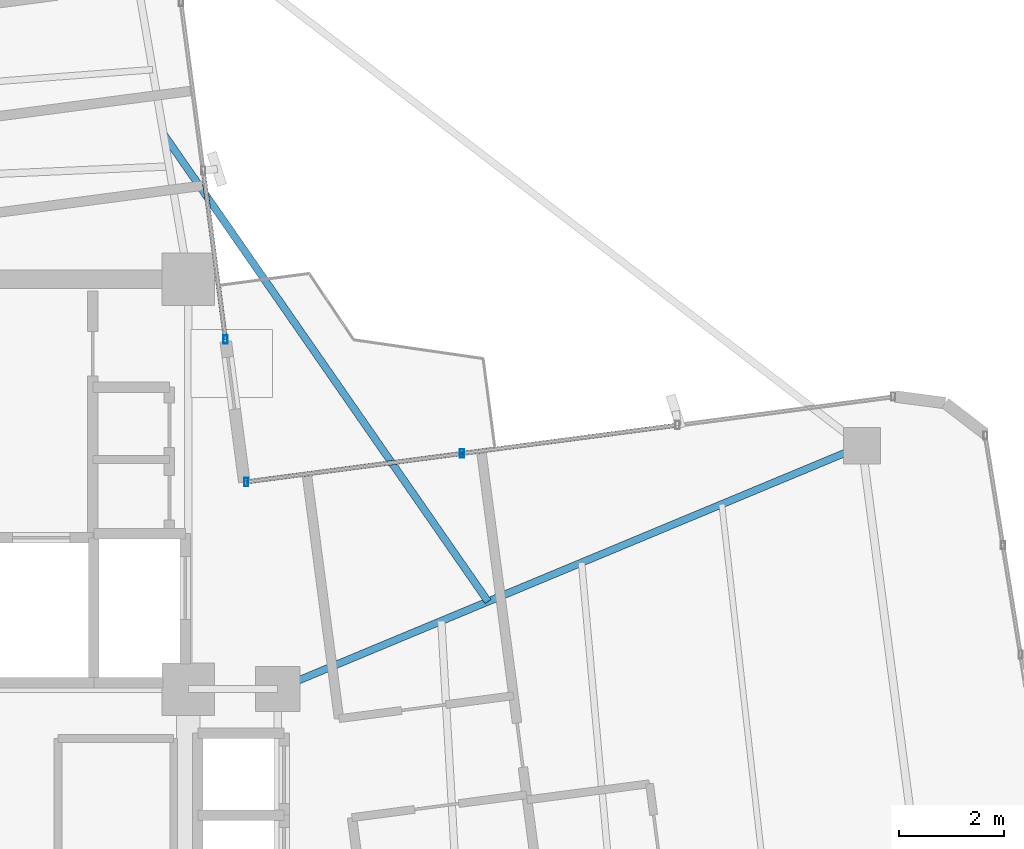
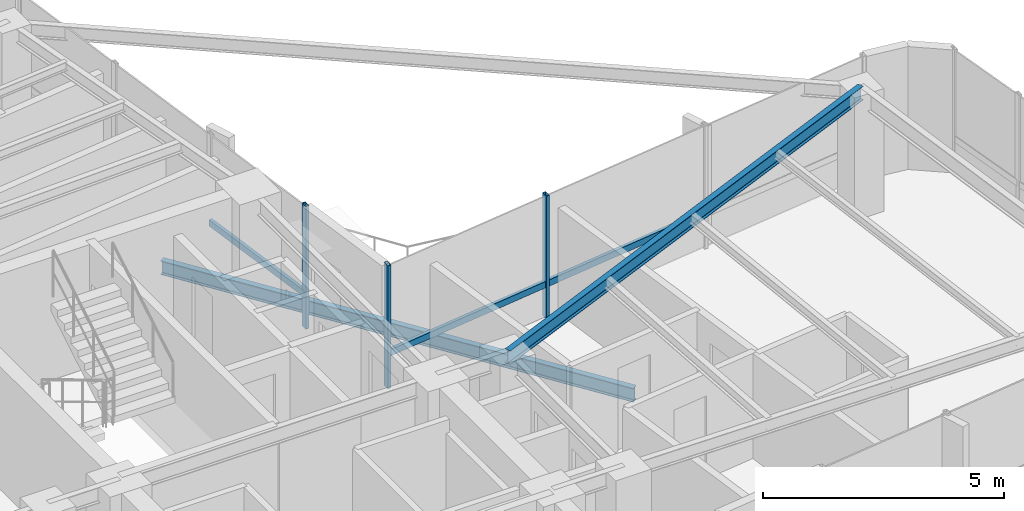
# One storey, part 10 of 21: 6 members, 2 beams, 2 elements without a shape of their own.
"""IFC4 building model written with IfcOpenShell, lengths in metres."""

import ifcopenshell
import ifcopenshell.guid

model = None  # the IFC model being written
_history = None  # IfcOwnerHistory: only IFC2X3 demands one
_inside = {}  # id of a spatial element -> (the spatial element, [elements in it])
_under = {}  # id of a project, library or spatial element -> (it, [spatial elements below it])
_declared = {}  # id of a project -> (the project, [libraries it declares])
_typed = {}  # id of a type object -> (the type object, [elements of that type])
_made_of = {}  # id of a material, layer set ... -> (it, [elements and type objects made of it])


def new_model(schema):
    """Start an empty IFC model of exactly this schema.

    Asked for "IFC4X3", IfcOpenShell would pick the latest addendum, in which some entities
    have other attributes; the version numbers below select the first issue.
    IFC2X3 requires an IfcOwnerHistory on every rooted entity: one is made here for all.
    """
    global model, _history
    if schema == "IFC4X3":
        model = ifcopenshell.file(schema_version=(4, 3, 0, 0))
    else:
        model = ifcopenshell.file(schema=schema)
    _inside.clear()
    _under.clear()
    _declared.clear()
    _typed.clear()
    _made_of.clear()
    _history = None
    if model.schema == "IFC2X3":
        org = make("IfcOrganization", Name="unknown")
        user = make(
            "IfcPersonAndOrganization",
            ThePerson=make("IfcPerson", FamilyName="unknown"),
            TheOrganization=org,
        )
        app = make(
            "IfcApplication",
            ApplicationDeveloper=org,
            Version="unknown",
            ApplicationFullName="unknown",
            ApplicationIdentifier="unknown",
        )
        _history = make(
            "IfcOwnerHistory",
            OwningUser=user,
            OwningApplication=app,
            ChangeAction="ADDED",
            CreationDate=0,
        )
    return model


def make(cls, **values):
    """One entity of the class cls with the attributes given. An attribute that is None is left unset."""
    return model.create_entity(
        cls, **{name: value for name, value in values.items() if value is not None}
    )


def rooted(cls, **values):
    """An entity with a GlobalId (a new one), such as an element, a storey or a relation."""
    return make(cls, GlobalId=ifcopenshell.guid.new(), OwnerHistory=_history, **values)


def si_unit(unit_type, name, prefix=None):
    """IfcSIUnit, for example si_unit("LENGTHUNIT", "METRE", prefix="MILLI")."""
    return make("IfcSIUnit", UnitType=unit_type, Prefix=prefix, Name=name)


def assignment(units):
    """IfcUnitAssignment: the units of a project."""
    return None if units is None else make("IfcUnitAssignment", Units=units)


def point(xyz):
    """IfcCartesianPoint."""
    return None if xyz is None else make("IfcCartesianPoint", Coordinates=xyz)


def direction(xyz):
    """IfcDirection."""
    return None if xyz is None else make("IfcDirection", DirectionRatios=xyz)


def frame(location, z_axis=None, x_axis=None):
    """IfcAxis2Placement3D, a coordinate frame: its origin and axes. An axis left out is left unset."""
    return make(
        "IfcAxis2Placement3D",
        Location=point(location),
        Axis=direction(z_axis),
        RefDirection=direction(x_axis),
    )


def frame_2d(location, x_axis=None):
    """IfcAxis2Placement2D, a coordinate frame in the plane: its origin and x axis."""
    return make(
        "IfcAxis2Placement2D", Location=point(location), RefDirection=direction(x_axis)
    )


def origin():
    """The frame at (0, 0, 0) with its axes left unset."""
    return frame((0.0, 0.0, 0.0))


def origin_2d():
    """The frame at (0, 0) in the plane with its x axis left unset."""
    return frame_2d((0.0, 0.0))


def place(relative_to, where):
    """IfcLocalPlacement: puts the frame where relative to a parent placement (None: the world)."""
    return make(
        "IfcLocalPlacement", PlacementRelTo=relative_to, RelativePlacement=where
    )


def context(
    kind, dimensions, precision=None, world=None, true_north=None, identifier=None
):
    """IfcGeometricRepresentationContext, for example the 3D "Model" context."""
    return make(
        "IfcGeometricRepresentationContext",
        ContextIdentifier=identifier,
        ContextType=kind,
        CoordinateSpaceDimension=dimensions,
        Precision=precision,
        WorldCoordinateSystem=world,
        TrueNorth=true_north,
    )


def subcontext(parent, identifier, kind, view, scale=None):
    """IfcGeometricRepresentationSubContext, for example "Body" below "Model"."""
    return make(
        "IfcGeometricRepresentationSubContext",
        ContextIdentifier=identifier,
        ContextType=kind,
        ParentContext=parent,
        TargetScale=scale,
        TargetView=view,
    )


def project(units=None, contexts=None):
    """IfcProject with its units and contexts."""
    return rooted(
        "IfcProject",
        Name="project",
        RepresentationContexts=contexts,
        UnitsInContext=assignment(units),
    )


def spatial(cls, under=None, at=None, **own):
    """A site, building, storey or space (cls), placed at a placement, below another one or the project."""
    s = rooted(cls, ObjectPlacement=at, **own)
    if under is not None:
        _under.setdefault(under.id(), (under, []))[1].append(s)
    return s


def profile(cls, at=None, kind="AREA", **sizes):
    """A parametric profile (cls). Its sizes go by their IFC names, for example OverallWidth=200.0."""
    return make(cls, ProfileType=kind, Position=at, **sizes)


def hollow_rectangle(**sizes):
    """IfcRectangleHollowProfileDef."""
    return profile("IfcRectangleHollowProfileDef", **sizes)


def i_section(**sizes):
    """IfcIShapeProfileDef."""
    return profile("IfcIShapeProfileDef", **sizes)


def extrude(swept, where, along, depth):
    """IfcExtrudedAreaSolid: the profile swept, set in the frame where, extruded along a direction by depth."""
    return make(
        "IfcExtrudedAreaSolid",
        SweptArea=swept,
        Position=where,
        ExtrudedDirection=direction(along),
        Depth=depth,
    )


def shape(context_of_items, identifier, shape_type, items):
    """IfcShapeRepresentation: the items that make up one representation, for example the "Body"."""
    return make(
        "IfcShapeRepresentation",
        ContextOfItems=context_of_items,
        RepresentationIdentifier=identifier,
        RepresentationType=shape_type,
        Items=items,
    )


def source(mapping_origin, context_of_items, identifier, shape_type, items):
    """IfcRepresentationMap: a shape defined once, which mapped items show again and again."""
    return make(
        "IfcRepresentationMap",
        MappingOrigin=mapping_origin,
        MappedRepresentation=shape(context_of_items, identifier, shape_type, items),
    )


def transform(
    local_origin,
    x_axis=None,
    y_axis=None,
    z_axis=None,
    scale=None,
    scale2=None,
    scale3=None,
    uniform=True,
):
    """IfcCartesianTransformationOperator3D, or its non-uniform kind. x_axis, y_axis, z_axis: its Axis1, 2, 3."""
    if uniform:
        return make(
            "IfcCartesianTransformationOperator3D",
            Axis1=direction(x_axis),
            Axis2=direction(y_axis),
            LocalOrigin=point(local_origin),
            Scale=scale,
            Axis3=direction(z_axis),
        )
    return make(
        "IfcCartesianTransformationOperator3DnonUniform",
        Axis1=direction(x_axis),
        Axis2=direction(y_axis),
        LocalOrigin=point(local_origin),
        Scale=scale,
        Axis3=direction(z_axis),
        Scale2=scale2,
        Scale3=scale3,
    )


def mapped(mapping_source, mapping_target):
    """IfcMappedItem: shows the shape of a source again, moved by a transform."""
    return make(
        "IfcMappedItem", MappingSource=mapping_source, MappingTarget=mapping_target
    )


def material(Name=None, Category=None):
    """IfcMaterial."""
    return make("IfcMaterial", Name=Name, Category=Category)


def material_profile(
    of_material, cross_section, Name=None, Category=None, Priority=None
):
    """IfcMaterialProfile: a cross section and its material."""
    return make(
        "IfcMaterialProfile",
        Name=Name,
        Material=of_material,
        Profile=cross_section,
        Priority=Priority,
        Category=Category,
    )


def profile_set(profiles, Name=None, composite=None):
    """IfcMaterialProfileSet."""
    return make(
        "IfcMaterialProfileSet",
        Name=Name,
        MaterialProfiles=profiles,
        CompositeProfile=composite,
    )


def made_of(thing, what):
    """Note that an element or type object is made of a material, layer set ...; save() writes the relation."""
    if what is not None:
        _made_of.setdefault(what.id(), (what, []))[1].append(thing)
    return thing


def type_object(cls, material=None, **own):
    """A type object (cls), such as IfcWallType, which elements share."""
    return made_of(rooted(cls, **own), material)


def element(
    cls,
    number,
    at=None,
    inside=None,
    cuts=None,
    type_object=None,
    material=None,
    context=None,
    identifier="Body",
    shape_type=None,
    held_by="IfcProductDefinitionShape",
    body=None,
    shapes=None,
    **own,
):
    """One element of the class cls, such as IfcWall. Its Tag is "e" and its number.

    at: its placement. inside: the storey or other place that contains it. cuts: it is an
    opening in that element (IfcRelVoidsElement). A single representation is given by context,
    identifier, shape_type and body (its items); several are given by shapes. held_by: the class
    of the entity that holds the representations. save() writes the other relations.
    """
    e = rooted(cls, Tag="e%d" % number, ObjectPlacement=at, **own)
    if body is not None:
        shapes = [shape(context, identifier, shape_type, body)]
    if shapes is not None:
        e.Representation = make(held_by, Representations=shapes)
    if inside is not None:
        _inside.setdefault(inside.id(), (inside, []))[1].append(e)
    if cuts is not None:
        rooted(
            "IfcRelVoidsElement", RelatingBuildingElement=cuts, RelatedOpeningElement=e
        )
    if type_object is not None:
        _typed.setdefault(type_object.id(), (type_object, []))[1].append(e)
    return made_of(e, material)


def aggregate(whole, parts):
    """IfcRelAggregates: a whole, such as a stair, and the parts it consists of."""
    return rooted("IfcRelAggregates", RelatingObject=whole, RelatedObjects=parts)


def save(model, path):
    """Write the relations noted so far, then the file.

    IfcRelAggregates (storeys below a building ...), IfcRelContainedInSpatialStructure (elements
    in a storey), IfcRelDefinesByType, IfcRelAssociatesMaterial and IfcRelDeclares: one each for
    every whole, place, type object, material and project.
    """
    for whole, parts in _under.values():
        aggregate(whole, parts)
    for where, things in _inside.values():
        rooted(
            "IfcRelContainedInSpatialStructure",
            RelatedElements=things,
            RelatingStructure=where,
        )
    for kind, things in _typed.values():
        rooted("IfcRelDefinesByType", RelatedObjects=things, RelatingType=kind)
    for what, things in _made_of.values():
        rooted("IfcRelAssociatesMaterial", RelatedObjects=things, RelatingMaterial=what)
    for by, libraries in _declared.values():
        rooted("IfcRelDeclares", RelatingContext=by, RelatedDefinitions=libraries)
    model.write(path)


model = new_model("IFC4")

# Units and contexts
model_context = context("Model", 3, precision=1e-05, world=origin(), true_north=direction((0.0, 1.0)))
body_context = subcontext(model_context, "Body", "Model", "MODEL_VIEW")
ifc_project = project(units=[si_unit("LENGTHUNIT", "METRE"), si_unit("AREAUNIT", "SQUARE_METRE"), si_unit("VOLUMEUNIT", "CUBIC_METRE"), si_unit("PLANEANGLEUNIT", "RADIAN"), si_unit("MASSUNIT", "GRAM", prefix="KILO")], contexts=[model_context])

# Site, building, storey
site_placement = place(None, origin())
site = spatial("IfcSite", under=ifc_project, at=site_placement, CompositionType="ELEMENT")
building_placement = place(site_placement, origin())
building = spatial("IfcBuilding", under=site, at=building_placement, Name="Sahyath Konkavel Grand Hotel", CompositionType="ELEMENT")
storey_placement = place(building_placement, frame((0.0, 0.0, 209.85009765625)))
storey = spatial("IfcBuildingStorey", under=building, at=storey_placement, Name="L58", CompositionType="ELEMENT", Elevation=209.85009765625)

# Beam
ifc_material_1 = material(Name="Steel E350", Category="steel")
ifc_material_profile_1 = material_profile(ifc_material_1, i_section(OverallWidth=0.139892578125, OverallDepth=0.35009765625, WebThickness=0.008056640625, FlangeThickness=0.01416015625, FilletRadius=0.013916015625, at=origin_2d()), Name="ISMB 350")
ifc_profile_set_1 = profile_set([ifc_material_profile_1], Name="Steel E350")
beam_type_1 = type_object("IfcBeamType", Name="BM-ISMB350", PredefinedType="BEAM", material=ifc_profile_set_1)
shared_shape_1 = source(origin(), body_context, "Body", "SweptSolid", [
    extrude(i_section(OverallWidth=0.139892578125, OverallDepth=0.35009765625, WebThickness=0.008056640625, FlangeThickness=0.01416015625, FilletRadius=0.013916015625, at=origin_2d()), origin(), (0.0, 0.0, 1.0), 12.049560546875),
])
beam_1_placement = place(storey_placement, frame((5.5, 2.39990234375, 2.934814453125), z_axis=(0.923226714744, 0.384255687248, 0.0), x_axis=(-0.384255687248, 0.923226714744, 0.0)))
element("IfcBeam", 1, at=beam_1_placement, inside=storey, type_object=beam_type_1, Name="L58 Cruciform Radial Girder EB", PredefinedType="BEAM", context=body_context, shape_type="MappedRepresentation", body=[
    mapped(shared_shape_1, transform((0.0, 0.0, 0.0), scale=1.0)),
])

# Curtain wall, members
ifc_material_2 = material(Name="Anodised Bronze Aluminium & Low-E Glazing", Category="aluminium")
curtain_wall_type = type_object("IfcCurtainWallType", Name="CW-ZONE4", PredefinedType="NOTDEFINED", material=ifc_material_2)
curtain_wall_1_placement = place(storey_placement, origin())
curtain_wall_1 = element("IfcCurtainWall", 2, at=curtain_wall_1_placement, inside=storey, type_object=curtain_wall_type, Name="L58 Unitised Curtain Wall F7", PredefinedType="NOTDEFINED")
ifc_material_3 = material(Name="Anodised Bronze Aluminium", Category="aluminium")
ifc_material_profile_2 = material_profile(ifc_material_3, hollow_rectangle(XDim=0.080078125, YDim=0.159912109375, WallThickness=0.006103515625, at=origin_2d()), Name="RHS 160x80x6")
ifc_profile_set_2 = profile_set([ifc_material_profile_2], Name="Anodised Bronze Aluminium")
member_type_1 = type_object("IfcMemberType", Name="CW-MUL-160", PredefinedType="MULLION", material=ifc_profile_set_2)
shared_shape_2 = source(origin(), body_context, "Body", "SweptSolid", [
    extrude(hollow_rectangle(XDim=0.080078125, YDim=0.159912109375, WallThickness=0.006103515625, at=origin_2d()), origin(), (0.0, 0.0, 1.0), 3.10986328125),
])
member_1_placement = place(storey_placement, frame((9.008544921875, 6.884765625, 0.0), z_axis=(0.0, 0.0, 1.0), x_axis=(1.0, 0.0, 0.0)))
member_1 = element("IfcMember", 3, at=member_1_placement, type_object=member_type_1, Name="L58 Curtain Wall Mullion F7-2", PredefinedType="MULLION", context=body_context, shape_type="MappedRepresentation", body=[
    mapped(shared_shape_2, transform((0.0, 0.0, 0.0), scale=1.0)),
])
member_2_placement = place(storey_placement, frame((4.90380859375, 6.34423828125, 0.0), z_axis=(0.0, 0.0, 1.0), x_axis=(1.0, 0.0, 0.0)))
member_2 = element("IfcMember", 4, at=member_2_placement, type_object=member_type_1, Name="L58 Curtain Wall Mullion F7-3", PredefinedType="MULLION", context=body_context, shape_type="MappedRepresentation", body=[
    mapped(shared_shape_2, transform((0.0, 0.0, 0.0), scale=1.0)),
])

curtain_wall_2_placement = place(storey_placement, origin())
curtain_wall_2 = element("IfcCurtainWall", 5, at=curtain_wall_2_placement, inside=storey, type_object=curtain_wall_type, Name="L58 Unitised Curtain Wall F8", PredefinedType="NOTDEFINED")
member_3_placement = place(storey_placement, frame((4.506591796875, 9.0556640625, 0.0), z_axis=(0.0, 0.0, 1.0), x_axis=(1.0, 0.0, 0.0)))
member_3 = element("IfcMember", 6, at=member_3_placement, type_object=member_type_1, Name="L58 Curtain Wall Mullion F8-0", PredefinedType="MULLION", context=body_context, shape_type="MappedRepresentation", body=[
    mapped(shared_shape_2, transform((0.0, 0.0, 0.0), scale=1.0)),
])
ifc_material_profile_3 = material_profile(ifc_material_3, hollow_rectangle(XDim=0.080078125, YDim=0.159912109375, WallThickness=0.006103515625, at=origin_2d()), Name="RHS 160x80x6")
ifc_profile_set_3 = profile_set([ifc_material_profile_3], Name="Anodised Bronze Aluminium")
member_type_2 = type_object("IfcMemberType", Name="CW-TRN-160", PredefinedType="USERDEFINED", material=ifc_profile_set_3)
shared_shape_3 = source(origin(), body_context, "Body", "SweptSolid", [
    extrude(hollow_rectangle(XDim=0.080078125, YDim=0.159912109375, WallThickness=0.006103515625, at=origin_2d()), origin(), (0.0, 0.0, 1.0), 3.240234375),
])
member_4_placement = place(storey_placement, frame((4.506591796875, 9.0556640625, 0.849853515625), z_axis=(-0.130505189885, 0.991447626157, 0.0), x_axis=(-0.991447626157, -0.130505189885, 0.0)))
member_4 = element("IfcMember", 7, at=member_4_placement, type_object=member_type_2, Name="L58 Curtain Wall Transom F8-0-spandrel", ObjectType="TRANSOM", PredefinedType="USERDEFINED", context=body_context, shape_type="MappedRepresentation", body=[
    mapped(shared_shape_3, transform((0.0, 0.0, 0.0), scale=1.0)),
])
aggregate(curtain_wall_2, [member_3, member_4])

# Member
shared_shape_4 = source(origin(), body_context, "Body", "SweptSolid", [
    extrude(hollow_rectangle(XDim=0.080078125, YDim=0.159912109375, WallThickness=0.006103515625, at=origin_2d()), origin(), (0.0, 0.0, 1.0), 4.139892578125),
])
member_5_placement = place(storey_placement, frame((13.113037109375, 7.425048828125, 0.849853515625), z_axis=(-0.991447469582, -0.130506379383, 0.0), x_axis=(0.130506379383, -0.991447469582, 0.0)))
member_5 = element("IfcMember", 8, at=member_5_placement, type_object=member_type_2, Name="L58 Curtain Wall Transom F7-1-spandrel", ObjectType="TRANSOM", PredefinedType="USERDEFINED", context=body_context, shape_type="MappedRepresentation", body=[
    mapped(shared_shape_4, transform((0.0, 0.0, 0.0), scale=1.0)),
])

shared_shape_5 = source(origin(), body_context, "Body", "SweptSolid", [
    extrude(hollow_rectangle(XDim=0.080078125, YDim=0.159912109375, WallThickness=0.006103515625, at=origin_2d()), origin(), (0.0, 0.0, 1.0), 4.14013671875),
])
member_6_placement = place(storey_placement, frame((9.008544921875, 6.884765625, 0.849853515625), z_axis=(-0.99144084268, -0.130556713596, 0.0), x_axis=(0.130556713596, -0.99144084268, 0.0)))
member_6 = element("IfcMember", 9, at=member_6_placement, type_object=member_type_2, Name="L58 Curtain Wall Transom F7-2-spandrel", ObjectType="TRANSOM", PredefinedType="USERDEFINED", context=body_context, shape_type="MappedRepresentation", body=[
    mapped(shared_shape_5, transform((0.0, 0.0, 0.0), scale=1.0)),
])

aggregate(curtain_wall_1, [member_1, member_2, member_5, member_6])

# Beam
ifc_material_profile_4 = material_profile(ifc_material_1, i_section(OverallWidth=0.139892578125, OverallDepth=0.35009765625, WebThickness=0.008056640625, FlangeThickness=0.01416015625, FilletRadius=0.013916015625, at=origin_2d()), Name="ISMB 350")
ifc_profile_set_4 = profile_set([ifc_material_profile_4], Name="Steel E350")
beam_type_2 = type_object("IfcBeamType", Name="BM-BALC-CANT", PredefinedType="BEAM", material=ifc_profile_set_4)
shared_shape_6 = source(origin(), body_context, "Body", "SweptSolid", [
    extrude(i_section(OverallWidth=0.139892578125, OverallDepth=0.35009765625, WebThickness=0.008056640625, FlangeThickness=0.01416015625, FilletRadius=0.013916015625, at=origin_2d()), origin(), (0.0, 0.0, 1.0), 10.831298828125),
])
beam_2_placement = place(storey_placement, frame((9.5048828125, 4.06689453125, -0.4150390625), z_axis=(-0.570310057725, 0.821429508879, 0.0), x_axis=(-0.821429508879, -0.570310057725, 0.0)))
element("IfcBeam", 10, at=beam_2_placement, inside=storey, type_object=beam_type_2, Name="L58 Balcony Cantilever Support Beam NE", PredefinedType="BEAM", context=body_context, shape_type="MappedRepresentation", body=[
    mapped(shared_shape_6, transform((0.0, 0.0, 0.0), scale=1.0)),
])

save(model, "model.ifc")
